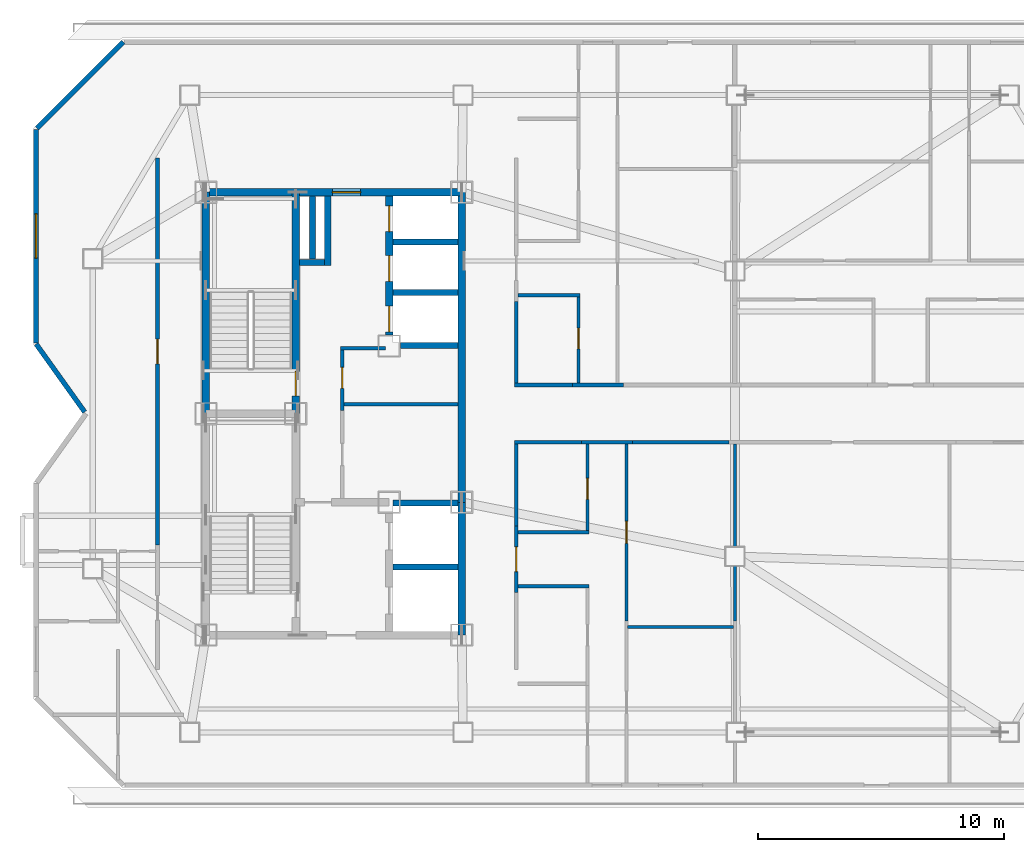
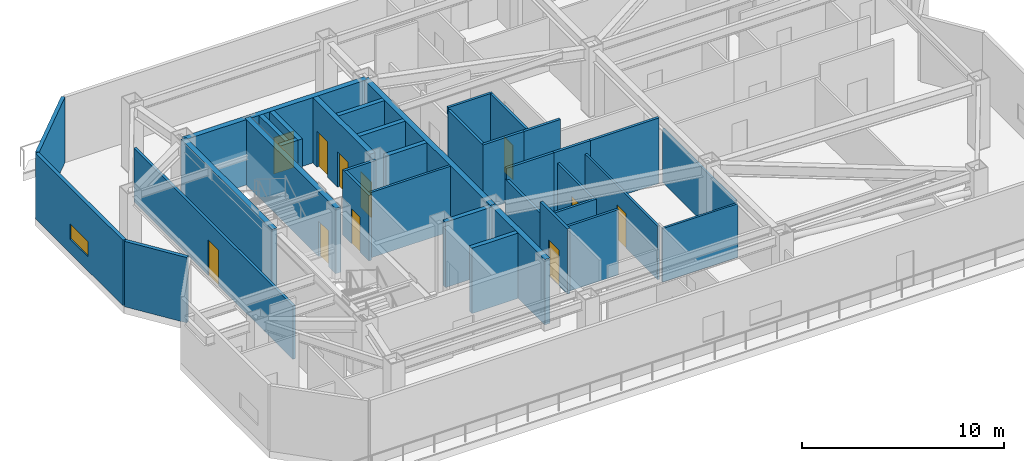
# One storey, part 5 of 11: 37 walls, 11 doors, 1 window, 12 openings.
"""IFC4 building model written with IfcOpenShell, lengths in metres."""

from ifc_helpers import new_model, si_unit, direction, frame, frame_2d, origin, place, context, subcontext, project, spatial, rectangle, extrude, material, layer, layer_set, type_object, element, fill, save


model = new_model("IFC4")

# Units and contexts
model_context = context("Model", 3, precision=1e-05, world=origin(), true_north=direction((0.0, 1.0)))
body_context = subcontext(model_context, "Body", "Model", "MODEL_VIEW")
ifc_project = project(units=[si_unit("LENGTHUNIT", "METRE"), si_unit("AREAUNIT", "SQUARE_METRE"), si_unit("VOLUMEUNIT", "CUBIC_METRE"), si_unit("PLANEANGLEUNIT", "RADIAN"), si_unit("MASSUNIT", "GRAM", prefix="KILO")], contexts=[model_context])

# Site, building, storey
site_placement = place(None, origin())
site = spatial("IfcSite", under=ifc_project, at=site_placement, CompositionType="ELEMENT")
building_placement = place(site_placement, origin())
building = spatial("IfcBuilding", under=site, at=building_placement, Name="Khamvora Tower", CompositionType="ELEMENT")
storey_placement = place(building_placement, frame((0.0, 0.0, 269.449951171875)))
storey = spatial("IfcBuildingStorey", under=building, at=storey_placement, Name="L69", CompositionType="ELEMENT", Elevation=269.449951171875)

# Wall
ifc_material_1 = material(Name="Concrete C50/60", Category="concrete")
ifc_layer_1 = layer(ifc_material_1, 0.300048828125)
ifc_layer_set_1 = layer_set([ifc_layer_1], Name="Concrete C50/60")
wall_type_1 = type_object("IfcWallType", Name="WAL-CORE-300", PredefinedType="SHEAR", material=ifc_layer_set_1)
wall_1_placement = place(storey_placement, frame((29.0, 28.0, 0.0), z_axis=(0.0, 0.0, 1.0), x_axis=(0.0, 1.0, 0.0)))
element("IfcWall", 1, at=wall_1_placement, inside=storey, type_object=wall_type_1, Name="L69 central core west north wall", PredefinedType="SHEAR", context=body_context, shape_type="SweptSolid", body=[
    extrude(rectangle(XDim=9.0, YDim=0.300048828125, at=frame_2d((4.5, 0.0))), origin(), (0.0, 0.0, 1.0), 3.949951171875),
])

# Wall, opening, door
wall_2_placement = place(storey_placement, frame((29.0, 37.0, 0.0), z_axis=(0.0, 0.0, 1.0), x_axis=(1.0, 0.0, 0.0)))
wall_2 = element("IfcWall", 2, at=wall_2_placement, inside=storey, type_object=wall_type_1, Name="L69 central core north wall", PredefinedType="SHEAR", context=body_context, shape_type="SweptSolid", body=[
    extrude(rectangle(XDim=10.39990234375, YDim=0.300048828125, at=frame_2d((5.199951171875, 0.0))), origin(), (0.0, 0.0, 1.0), 3.949951171875),
])
opening_1_placement = place(wall_2_placement, frame((5.139892578125, 0.0, 0.0)))
opening_1 = element("IfcOpeningElement", 3, at=opening_1_placement, cuts=wall_2, Name="Opening D-SC1", PredefinedType="OPENING", context=body_context, shape_type="SweptSolid", body=[
    extrude(rectangle(XDim=1.14990234375, YDim=2.199951171875, at=frame_2d((0.574951171875, 1.10009765625))), frame((0.0, 0.159912109375, 0.0), z_axis=(0.0, -1.0, 0.0), x_axis=(1.0, 0.0, 0.0)), (0.0, 0.0, 1.0), 0.320068359375),
])
ifc_material_2 = material(Name="Powder-Coated Steel and Hardwood Leaf", Category="steel")
door_type_1 = type_object("IfcDoorType", Name="DOR-SCHL-1150", OperationType="NOTDEFINED", PredefinedType="DOOR", material=ifc_material_2)
door_1_placement = place(opening_1_placement, origin())
door_1 = element("IfcDoor", 4, at=door_1_placement, inside=storey, type_object=door_type_1, Name="L69 north core lobby to corridor fire door", OperationType="SINGLE_SWING_LEFT", OverallHeight=2.199951171875, OverallWidth=1.14990234375, PredefinedType="DOOR", context=body_context, shape_type="SweptSolid", body=[
    extrude(rectangle(XDim=1.14990234375, YDim=2.199951171875, at=frame_2d((0.574951171875, 1.10009765625))), frame((0.0, 0.02490234375, 0.0), z_axis=(0.0, -1.0, 0.0), x_axis=(1.0, 0.0, 0.0)), (0.0, 0.0, 1.0), 0.050048828125),
])
fill(opening_1, door_1)

# Walls
wall_3_placement = place(storey_placement, frame((39.39990234375, 19.0, 0.0), z_axis=(0.0, 0.0, 1.0), x_axis=(0.0, 1.0, 0.0)))
element("IfcWall", 5, at=wall_3_placement, inside=storey, type_object=wall_type_1, Name="L69 central core east south wall", PredefinedType="SHEAR", context=body_context, shape_type="SweptSolid", body=[
    extrude(rectangle(XDim=5.39990234375, YDim=0.300048828125, at=frame_2d((2.699951171875, 0.0))), origin(), (0.0, 0.0, 1.0), 3.949951171875),
])
wall_4_placement = place(storey_placement, frame((39.39990234375, 24.39990234375, 0.0), z_axis=(0.0, 0.0, 1.0), x_axis=(0.0, 1.0, 0.0)))
element("IfcWall", 6, at=wall_4_placement, inside=storey, type_object=wall_type_1, Name="L69 central core east north wall", PredefinedType="SHEAR", context=body_context, shape_type="SweptSolid", body=[
    extrude(rectangle(XDim=12.60009765625, YDim=0.300048828125, at=frame_2d((6.300048828125, 0.0))), origin(), (0.0, 0.0, 1.0), 3.949951171875),
])

# Wall, opening, door
wall_5_placement = place(storey_placement, frame((32.64990234375, 28.0, 0.0), z_axis=(0.0, 0.0, 1.0), x_axis=(0.0, 1.0, 0.0)))
wall_5 = element("IfcWall", 7, at=wall_5_placement, inside=storey, type_object=wall_type_1, Name="L69 central core stair north spine wall", PredefinedType="SHEAR", context=body_context, shape_type="SweptSolid", body=[
    extrude(rectangle(XDim=9.0, YDim=0.300048828125, at=frame_2d((4.5, 0.0))), origin(), (0.0, 0.0, 1.0), 3.949951171875),
])
opening_2_placement = place(wall_5_placement, frame((0.719970703125, 0.0, 0.0)))
opening_2 = element("IfcOpeningElement", 8, at=opening_2_placement, cuts=wall_5, Name="Opening D-ST1", PredefinedType="OPENING", context=body_context, shape_type="SweptSolid", body=[
    extrude(rectangle(XDim=1.0, YDim=2.14990234375, at=frame_2d((0.5, 1.074951171875))), frame((0.0, 0.159912109375, 0.0), z_axis=(0.0, -1.0, 0.0), x_axis=(1.0, 0.0, 0.0)), (0.0, 0.0, 1.0), 0.320068359375),
])
door_type_2 = type_object("IfcDoorType", Name="DOR-STAIR-1000", OperationType="NOTDEFINED", PredefinedType="DOOR", material=ifc_material_2)
door_2_placement = place(opening_2_placement, origin())
door_2 = element("IfcDoor", 9, at=door_2_placement, inside=storey, type_object=door_type_2, Name="L69 exit stair ST-02 fire door", OperationType="SINGLE_SWING_RIGHT", OverallHeight=2.14990234375, OverallWidth=1.0, PredefinedType="DOOR", context=body_context, shape_type="SweptSolid", body=[
    extrude(rectangle(XDim=1.0, YDim=2.14990234375, at=frame_2d((0.5, 1.074951171875))), frame((0.0, 0.02490234375, 0.0), z_axis=(0.0, -1.0, 0.0), x_axis=(1.0, 0.0, 0.0)), (0.0, 0.0, 1.0), 0.050048828125),
])
fill(opening_2, door_2)

# Wall, openings, doors
wall_6_placement = place(storey_placement, frame((36.449951171875, 31.199951171875, 0.0), z_axis=(0.0, 0.0, 1.0), x_axis=(0.0, 1.0, 0.0)))
wall_6 = element("IfcWall", 10, at=wall_6_placement, inside=storey, type_object=wall_type_1, Name="L69 central core lift bank central wall", PredefinedType="SHEAR", context=body_context, shape_type="SweptSolid", body=[
    extrude(rectangle(XDim=5.64599609375, YDim=0.300048828125, at=frame_2d((2.822998046875, 0.0))), origin(), (0.0, 0.0, 1.0), 3.949951171875),
])
opening_3_placement = place(wall_6_placement, frame((0.125, 0.0, 0.0)))
opening_3 = element("IfcOpeningElement", 11, at=opening_3_placement, cuts=wall_6, Name="Opening LD-PL", PredefinedType="OPENING", context=body_context, shape_type="SweptSolid", body=[
    extrude(rectangle(XDim=1.050048828125, YDim=2.14990234375, at=frame_2d((0.52490234375, 1.074951171875))), frame((0.0, 0.159912109375, 0.0), z_axis=(0.0, -1.0, 0.0), x_axis=(1.0, 0.0, 0.0)), (0.0, 0.0, 1.0), 0.320068359375),
])
opening_4_placement = place(wall_6_placement, frame((2.175048828125, 0.0, 0.0)))
opening_4 = element("IfcOpeningElement", 12, at=opening_4_placement, cuts=wall_6, Name="Opening LD-PL", PredefinedType="OPENING", context=body_context, shape_type="SweptSolid", body=[
    extrude(rectangle(XDim=1.050048828125, YDim=2.14990234375, at=frame_2d((0.52490234375, 1.074951171875))), frame((0.0, 0.159912109375, 0.0), z_axis=(0.0, -1.0, 0.0), x_axis=(1.0, 0.0, 0.0)), (0.0, 0.0, 1.0), 0.320068359375),
])
opening_5_placement = place(wall_6_placement, frame((4.195068359375, 0.0, 0.0)))
opening_5 = element("IfcOpeningElement", 13, at=opening_5_placement, cuts=wall_6, Name="Opening LD-PL", PredefinedType="OPENING", context=body_context, shape_type="SweptSolid", body=[
    extrude(rectangle(XDim=1.050048828125, YDim=2.14990234375, at=frame_2d((0.52490234375, 1.074951171875))), frame((0.0, 0.159912109375, 0.0), z_axis=(0.0, -1.0, 0.0), x_axis=(1.0, 0.0, 0.0)), (0.0, 0.0, 1.0), 0.320068359375),
])
door_type_3 = type_object("IfcDoorType", Name="DOR-LIFT-1050", OperationType="SLIDING_TO_LEFT", PredefinedType="DOOR", material=ifc_material_2)
door_3_placement = place(opening_3_placement, origin())
door_3 = element("IfcDoor", 14, at=door_3_placement, inside=storey, type_object=door_type_3, Name="L69 lift landing sliding door PH-01", OperationType="SLIDING_TO_LEFT", OverallHeight=2.14990234375, OverallWidth=1.050048828125, PredefinedType="DOOR", context=body_context, shape_type="SweptSolid", body=[
    extrude(rectangle(XDim=1.050048828125, YDim=2.14990234375, at=frame_2d((0.52490234375, 1.074951171875))), frame((0.0, 0.02490234375, 0.0), z_axis=(0.0, -1.0, 0.0), x_axis=(1.0, 0.0, 0.0)), (0.0, 0.0, 1.0), 0.050048828125),
])
fill(opening_3, door_3)
door_4_placement = place(opening_4_placement, origin())
door_4 = element("IfcDoor", 15, at=door_4_placement, inside=storey, type_object=door_type_3, Name="L69 lift landing sliding door PH-02", OperationType="SLIDING_TO_LEFT", OverallHeight=2.14990234375, OverallWidth=1.050048828125, PredefinedType="DOOR", context=body_context, shape_type="SweptSolid", body=[
    extrude(rectangle(XDim=1.050048828125, YDim=2.14990234375, at=frame_2d((0.52490234375, 1.074951171875))), frame((0.0, 0.02490234375, 0.0), z_axis=(0.0, -1.0, 0.0), x_axis=(1.0, 0.0, 0.0)), (0.0, 0.0, 1.0), 0.050048828125),
])
fill(opening_4, door_4)
door_5_placement = place(opening_5_placement, origin())
door_5 = element("IfcDoor", 16, at=door_5_placement, inside=storey, type_object=door_type_3, Name="L69 lift landing sliding door PH-03", OperationType="SLIDING_TO_LEFT", OverallHeight=2.14990234375, OverallWidth=1.050048828125, PredefinedType="DOOR", context=body_context, shape_type="SweptSolid", body=[
    extrude(rectangle(XDim=1.050048828125, YDim=2.14990234375, at=frame_2d((0.52490234375, 1.074951171875))), frame((0.0, 0.02490234375, 0.0), z_axis=(0.0, -1.0, 0.0), x_axis=(1.0, 0.0, 0.0)), (0.0, 0.0, 1.0), 0.050048828125),
])
fill(opening_5, door_5)

# Wall
ifc_material_3 = material(Name="Fire-Rated Drywall and Steel Stud", Category="steel")
ifc_layer_2 = layer(ifc_material_3, 0.14990234375)
ifc_layer_set_2 = layer_set([ifc_layer_2], Name="Fire-Rated Drywall and Steel Stud")
wall_type_2 = type_object("IfcWallType", Name="WAL-CORR-150", PredefinedType="STANDARD", material=ifc_layer_set_2)
wall_7_placement = place(storey_placement, frame((36.300048828125, 30.6650390625, 0.0), z_axis=(0.0, 0.0, 1.0), x_axis=(-1.0, 0.0, 0.0)))
element("IfcWall", 17, at=wall_7_placement, inside=storey, type_object=wall_type_2, Name="L69 interior partition wall 001", PredefinedType="STANDARD", context=body_context, shape_type="SweptSolid", body=[
    extrude(rectangle(XDim=1.820068359375, YDim=0.14990234375, at=frame_2d((0.91015625, 0.0))), origin(), (0.0, 0.0, 1.0), 3.949951171875),
])

# Wall, opening, door
wall_8_placement = place(storey_placement, frame((34.544921875, 30.72998046875, 0.0), z_axis=(0.0, 0.0, 1.0), x_axis=(0.0, -1.0, 0.0)))
wall_8 = element("IfcWall", 18, at=wall_8_placement, inside=storey, type_object=wall_type_2, Name="L69 interior partition wall 002", PredefinedType="STANDARD", context=body_context, shape_type="SweptSolid", body=[
    extrude(rectangle(XDim=2.593994140625, YDim=0.14990234375, at=frame_2d((1.296875, 0.0))), origin(), (0.0, 0.0, 1.0), 3.949951171875),
])
opening_6_placement = place(wall_8_placement, frame((0.85107421875, 0.0, 0.0)))
opening_6 = element("IfcOpeningElement", 19, at=opening_6_placement, cuts=wall_8, Name="Opening D-WC1", PredefinedType="OPENING", context=body_context, shape_type="SweptSolid", body=[
    extrude(rectangle(XDim=0.85009765625, YDim=2.10009765625, at=frame_2d((0.425048828125, 1.050048828125))), frame((0.0, 0.0849609375, 0.0), z_axis=(0.0, -1.0, 0.0), x_axis=(1.0, 0.0, 0.0)), (0.0, 0.0, 1.0), 0.169921875),
])
door_type_4 = type_object("IfcDoorType", Name="DOR-WET-850", OperationType="NOTDEFINED", PredefinedType="DOOR", material=ifc_material_2)
door_6_placement = place(opening_6_placement, origin())
door_6 = element("IfcDoor", 20, at=door_6_placement, inside=storey, type_object=door_type_4, Name="L69 interior door PHL-CS1", OperationType="SINGLE_SWING_RIGHT", OverallHeight=2.10009765625, OverallWidth=0.85009765625, PredefinedType="DOOR", context=body_context, shape_type="SweptSolid", body=[
    extrude(rectangle(XDim=0.85009765625, YDim=2.10009765625, at=frame_2d((0.425048828125, 1.050048828125))), frame((0.0, 0.02490234375, 0.0), z_axis=(0.0, -1.0, 0.0), x_axis=(1.0, 0.0, 0.0)), (0.0, 0.0, 1.0), 0.050048828125),
])
fill(opening_6, door_6)

wall_9_placement = place(storey_placement, frame((27.034912109375, 22.658935546875, 0.0), z_axis=(0.0, 0.0, 1.0), x_axis=(0.0, 1.0, 0.0)))
wall_9 = element("IfcWall", 21, at=wall_9_placement, inside=storey, type_object=wall_type_2, Name="L69 interior partition wall 008", PredefinedType="STANDARD", context=body_context, shape_type="SweptSolid", body=[
    extrude(rectangle(XDim=15.740966796875, YDim=0.14990234375, at=frame_2d((7.87060546875, 0.0))), origin(), (0.0, 0.0, 1.0), 3.237060546875),
])
opening_7_placement = place(wall_9_placement, frame((7.3701171875, 0.0, 0.0)))
opening_7 = element("IfcOpeningElement", 22, at=opening_7_placement, cuts=wall_9, Name="Opening D-U1", PredefinedType="OPENING", context=body_context, shape_type="SweptSolid", body=[
    extrude(rectangle(XDim=1.0, YDim=2.14990234375, at=frame_2d((0.5, 1.074951171875))), frame((0.0, 0.0849609375, 0.0), z_axis=(0.0, -1.0, 0.0), x_axis=(1.0, 0.0, 0.0)), (0.0, 0.0, 1.0), 0.169921875),
])
door_type_5 = type_object("IfcDoorType", Name="DOR-UNIT-1000", OperationType="NOTDEFINED", PredefinedType="DOOR", material=ifc_material_2)
door_7_placement = place(opening_7_placement, origin())
door_7 = element("IfcDoor", 23, at=door_7_placement, inside=storey, type_object=door_type_5, Name="L69 interior door COR-69AR1", OperationType="SINGLE_SWING_LEFT", OverallHeight=2.14990234375, OverallWidth=1.0, PredefinedType="DOOR", context=body_context, shape_type="SweptSolid", body=[
    extrude(rectangle(XDim=1.0, YDim=2.14990234375, at=frame_2d((0.5, 1.074951171875))), frame((0.0, 0.02490234375, 0.0), z_axis=(0.0, -1.0, 0.0), x_axis=(1.0, 0.0, 0.0)), (0.0, 0.0, 1.0), 0.050048828125),
])
fill(opening_7, door_7)

# Wall
wall_10_placement = place(storey_placement, frame((46.339111328125, 26.8349609375, 0.0), z_axis=(0.0, 0.0, 1.0), x_axis=(-1.0, 0.0, 0.0)))
element("IfcWall", 24, at=wall_10_placement, inside=storey, type_object=wall_type_2, Name="L69 interior partition wall 009", PredefinedType="STANDARD", context=body_context, shape_type="SweptSolid", body=[
    extrude(rectangle(XDim=2.078125, YDim=0.14990234375, at=frame_2d((1.0390625, 0.0))), origin(), (0.0, 0.0, 1.0), 3.949951171875),
])

# Wall, opening, door
wall_11_placement = place(storey_placement, frame((41.614990234375, 23.43310546875, 0.0), z_axis=(0.0, 0.0, 1.0), x_axis=(0.0, -1.0, 0.0)))
wall_11 = element("IfcWall", 25, at=wall_11_placement, inside=storey, type_object=wall_type_2, Name="L69 interior partition wall 010", PredefinedType="STANDARD", context=body_context, shape_type="SweptSolid", body=[
    extrude(rectangle(XDim=2.697998046875, YDim=0.14990234375, at=frame_2d((1.34912109375, 0.0))), origin(), (0.0, 0.0, 1.0), 3.949951171875),
])
opening_8_placement = place(wall_11_placement, frame((0.84912109375, 0.0, 0.0)))
opening_8 = element("IfcOpeningElement", 26, at=opening_8_placement, cuts=wall_11, Name="Opening D-U1", PredefinedType="OPENING", context=body_context, shape_type="SweptSolid", body=[
    extrude(rectangle(XDim=1.0, YDim=2.14990234375, at=frame_2d((0.5, 1.074951171875))), frame((0.0, 0.0849609375, 0.0), z_axis=(0.0, -1.0, 0.0), x_axis=(1.0, 0.0, 0.0)), (0.0, 0.0, 1.0), 0.169921875),
])
door_8_placement = place(opening_8_placement, origin())
door_8 = element("IfcDoor", 27, at=door_8_placement, inside=storey, type_object=door_type_5, Name="L69 interior door COR-69BH", OperationType="SINGLE_SWING_RIGHT", OverallHeight=2.14990234375, OverallWidth=1.0, PredefinedType="DOOR", context=body_context, shape_type="SweptSolid", body=[
    extrude(rectangle(XDim=1.0, YDim=2.14990234375, at=frame_2d((0.5, 1.074951171875))), frame((0.0, 0.02490234375, 0.0), z_axis=(0.0, -1.0, 0.0), x_axis=(1.0, 0.0, 0.0)), (0.0, 0.0, 1.0), 0.050048828125),
])
fill(opening_8, door_8)

# Walls
wall_12_placement = place(storey_placement, frame((44.260986328125, 26.8349609375, 0.0), z_axis=(0.0, 0.0, 1.0), x_axis=(-1.0, 0.0, 0.0)))
element("IfcWall", 28, at=wall_12_placement, inside=storey, type_object=wall_type_2, Name="L69 interior partition wall 011", PredefinedType="STANDARD", context=body_context, shape_type="SweptSolid", body=[
    extrude(rectangle(XDim=2.7109375, YDim=0.14990234375, at=frame_2d((1.35546875, 0.0))), origin(), (0.0, 0.0, 1.0), 3.949951171875),
])
wall_13_placement = place(storey_placement, frame((41.614990234375, 26.89794921875, 0.0), z_axis=(0.0, 0.0, 1.0), x_axis=(0.0, -1.0, 0.0)))
element("IfcWall", 29, at=wall_13_placement, inside=storey, type_object=wall_type_2, Name="L69 interior partition wall 012", PredefinedType="STANDARD", context=body_context, shape_type="SweptSolid", body=[
    extrude(rectangle(XDim=3.46484375, YDim=0.14990234375, at=frame_2d((1.732421875, 0.0))), origin(), (0.0, 0.0, 1.0), 3.2451171875),
])
wall_14_placement = place(storey_placement, frame((50.256103515625, 26.8349609375, 0.0), z_axis=(0.0, 0.0, 1.0), x_axis=(-1.0, 0.0, 0.0)))
element("IfcWall", 30, at=wall_14_placement, inside=storey, type_object=wall_type_2, Name="L69 interior partition wall 014", PredefinedType="STANDARD", context=body_context, shape_type="SweptSolid", body=[
    extrude(rectangle(XDim=3.9169921875, YDim=0.14990234375, at=frame_2d((1.95849609375, 0.0))), origin(), (0.0, 0.0, 1.0), 3.949951171875),
])
wall_15_placement = place(storey_placement, frame((43.89599609375, 29.1650390625, 0.0), z_axis=(0.0, 0.0, 1.0), x_axis=(1.0, 0.0, 0.0)))
element("IfcWall", 31, at=wall_15_placement, inside=storey, type_object=wall_type_2, Name="L69 interior partition wall 015", PredefinedType="STANDARD", context=body_context, shape_type="SweptSolid", body=[
    extrude(rectangle(XDim=2.078125, YDim=0.14990234375, at=frame_2d((1.0390625, 0.0))), origin(), (0.0, 0.0, 1.0), 3.949951171875),
])
wall_16_placement = place(storey_placement, frame((41.550048828125, 29.1650390625, 0.0), z_axis=(0.0, 0.0, 1.0), x_axis=(1.0, 0.0, 0.0)))
element("IfcWall", 32, at=wall_16_placement, inside=storey, type_object=wall_type_2, Name="L69 interior partition wall 017", PredefinedType="STANDARD", context=body_context, shape_type="SweptSolid", body=[
    extrude(rectangle(XDim=2.345947265625, YDim=0.14990234375, at=frame_2d((1.1728515625, 0.0))), origin(), (0.0, 0.0, 1.0), 3.949951171875),
])
wall_17_placement = place(storey_placement, frame((41.614990234375, 32.56689453125, 0.0), z_axis=(0.0, 0.0, 1.0), x_axis=(0.0, -1.0, 0.0)))
element("IfcWall", 33, at=wall_17_placement, inside=storey, type_object=wall_type_2, Name="L69 interior partition wall 018", PredefinedType="STANDARD", context=body_context, shape_type="SweptSolid", body=[
    extrude(rectangle(XDim=3.46484375, YDim=0.14990234375, at=frame_2d((1.732421875, 0.0))), origin(), (0.0, 0.0, 1.0), 3.949951171875),
])
ifc_material_4 = material(Name="Precast concrete C40/50", Category="concrete")
ifc_layer_3 = layer(ifc_material_4, 0.199951171875)
ifc_layer_set_3 = layer_set([ifc_layer_3], Name="Precast concrete C40/50")
wall_type_3 = type_object("IfcWallType", Name="WAL-EXT-200", PredefinedType="STANDARD", material=ifc_layer_set_3)
wall_18_placement = place(storey_placement, frame((24.073974609375, 28.069091796875, 0.0), z_axis=(0.0, 0.0, 1.0), x_axis=(-0.581306204583, 0.813684887726, 0.0)))
element("IfcWall", 34, at=wall_18_placement, inside=storey, type_object=wall_type_3, Name="L69 exterior facade wall 04.1", PredefinedType="STANDARD", context=body_context, shape_type="SweptSolid", body=[
    extrude(rectangle(XDim=3.3955078125, YDim=0.199951171875, at=frame_2d((1.69775390625, 0.0))), origin(), (0.0, 0.0, 1.0), 3.949951171875),
])

# Wall, opening, window
wall_19_placement = place(storey_placement, frame((22.10009765625, 30.882080078125, 0.0), z_axis=(0.0, 0.0, 1.0), x_axis=(0.0, 1.0, 0.0)))
wall_19 = element("IfcWall", 35, at=wall_19_placement, inside=storey, type_object=wall_type_3, Name="L69 exterior facade wall 05.1", PredefinedType="STANDARD", context=body_context, shape_type="SweptSolid", body=[
    extrude(rectangle(XDim=8.677001953125, YDim=0.199951171875, at=frame_2d((4.33837890625, 0.0))), origin(), (0.0, 0.0, 1.0), 3.949951171875),
])
opening_9_placement = place(wall_19_placement, frame((3.43798828125, 0.0, 0.85009765625)))
opening_9 = element("IfcOpeningElement", 36, at=opening_9_placement, cuts=wall_19, Name="Opening WN-09", PredefinedType="OPENING", context=body_context, shape_type="SweptSolid", body=[
    extrude(rectangle(XDim=1.800048828125, YDim=0.919921875, at=frame_2d((0.89990234375, 0.4599609375))), frame((0.0, 0.10986328125, 0.0), z_axis=(0.0, -1.0, 0.0), x_axis=(1.0, 0.0, 0.0)), (0.0, 0.0, 1.0), 0.219970703125),
])
ifc_material_5 = material(Name="Low-E Laminated Double Glazing", Category="glass")
window_type = type_object("IfcWindowType", Name="WIN-CLR-1800x920", PartitioningType="SINGLE_PANEL", PredefinedType="WINDOW", material=ifc_material_5)
window_placement = place(opening_9_placement, origin())
window = element("IfcWindow", 37, at=window_placement, inside=storey, type_object=window_type, Name="L69 vision window 05.1.01", OverallHeight=0.919921875, OverallWidth=1.800048828125, PartitioningType="SINGLE_PANEL", PredefinedType="WINDOW", context=body_context, shape_type="SweptSolid", body=[
    extrude(rectangle(XDim=1.800048828125, YDim=0.919921875, at=frame_2d((0.89990234375, 0.4599609375))), frame((0.0, 0.030029296875, 0.0), z_axis=(0.0, -1.0, 0.0), x_axis=(1.0, 0.0, 0.0)), (0.0, 0.0, 1.0), 0.06005859375),
])
fill(opening_9, window)

# Walls
wall_20_placement = place(storey_placement, frame((22.14404296875, 39.60302734375, 0.0), z_axis=(0.0, 0.0, 1.0), x_axis=(0.707106781187, 0.707106781187, 0.0)))
element("IfcWall", 38, at=wall_20_placement, inside=storey, type_object=wall_type_3, Name="L69 exterior facade wall 06.1", PredefinedType="STANDARD", context=body_context, shape_type="SweptSolid", body=[
    extrude(rectangle(XDim=4.945556640625, YDim=0.199951171875, at=frame_2d((2.47265625, 0.0))), origin(), (0.0, 0.0, 1.0), 3.949951171875),
])
ifc_material_6 = material(Name="Gypsum Plasterboard Partition", Category="gypsum")
ifc_layer_4 = layer(ifc_material_6, 0.1201171875)
ifc_layer_set_4 = layer_set([ifc_layer_4], Name="Gypsum Plasterboard Partition")
wall_type_4 = type_object("IfcWallType", Name="WAL-PART-120", PredefinedType="PARTITIONING", material=ifc_layer_set_4)
wall_21_placement = place(storey_placement, frame((50.5048828125, 19.577880859375, 0.0), z_axis=(0.0, 0.0, 1.0), x_axis=(0.0, 1.0, 0.0)))
element("IfcWall", 39, at=wall_21_placement, inside=storey, type_object=wall_type_4, Name="L69 interior partition wall 027", PredefinedType="PARTITIONING", context=body_context, shape_type="SweptSolid", body=[
    extrude(rectangle(XDim=7.192138671875, YDim=0.1201171875, at=frame_2d((3.59619140625, 0.0))), origin(), (0.0, 0.0, 1.0), 3.2451171875),
])

# Wall, opening, door
wall_22_placement = place(storey_placement, frame((46.090087890625, 26.77001953125, 0.0), z_axis=(0.0, 0.0, 1.0), x_axis=(0.0, -1.0, 0.0)))
wall_22 = element("IfcWall", 40, at=wall_22_placement, inside=storey, type_object=wall_type_4, Name="L69 interior partition wall 041", PredefinedType="PARTITIONING", context=body_context, shape_type="SweptSolid", body=[
    extrude(rectangle(XDim=7.18701171875, YDim=0.1201171875, at=frame_2d((3.593505859375, 0.0))), origin(), (0.0, 0.0, 1.0), 3.2451171875),
])
opening_10_placement = place(wall_22_placement, frame((3.14306640625, 0.0, 0.0)))
opening_10 = element("IfcOpeningElement", 41, at=opening_10_placement, cuts=wall_22, Name="Opening D-RM1", PredefinedType="OPENING", context=body_context, shape_type="SweptSolid", body=[
    extrude(rectangle(XDim=0.89990234375, YDim=2.10009765625, at=frame_2d((0.449951171875, 1.050048828125))), frame((0.0, 0.070068359375, 0.0), z_axis=(0.0, -1.0, 0.0), x_axis=(1.0, 0.0, 0.0)), (0.0, 0.0, 1.0), 0.14013671875),
])
door_type_6 = type_object("IfcDoorType", Name="DOR-ROOM-900", OperationType="NOTDEFINED", PredefinedType="DOOR", material=ifc_material_2)
door_9_placement = place(opening_10_placement, origin())
door_9 = element("IfcDoor", 42, at=door_9_placement, inside=storey, type_object=door_type_6, Name="L69 interior door 69BH-69BR2", OperationType="SINGLE_SWING_LEFT", OverallHeight=2.10009765625, OverallWidth=0.89990234375, PredefinedType="DOOR", context=body_context, shape_type="SweptSolid", body=[
    extrude(rectangle(XDim=0.89990234375, YDim=2.10009765625, at=frame_2d((0.449951171875, 1.050048828125))), frame((0.0, 0.02490234375, 0.0), z_axis=(0.0, -1.0, 0.0), x_axis=(1.0, 0.0, 0.0)), (0.0, 0.0, 1.0), 0.050048828125),
])
fill(opening_10, door_9)

# Walls
wall_23_placement = place(storey_placement, frame((46.14404296875, 19.333984375, 0.0), z_axis=(0.0, 0.0, 1.0), x_axis=(1.0, 0.0, 0.0)))
element("IfcWall", 43, at=wall_23_placement, inside=storey, type_object=wall_type_4, Name="L69 interior partition wall 042", PredefinedType="PARTITIONING", context=body_context, shape_type="SweptSolid", body=[
    extrude(rectangle(XDim=4.306884765625, YDim=0.1201171875, at=frame_2d((2.1533203125, 0.0))), origin(), (0.0, 0.0, 1.0), 3.2451171875),
])
ifc_material_7 = material(Name="Concrete C40/50", Category="concrete")
ifc_layer_5 = layer(ifc_material_7, 0.25)
ifc_layer_set_5 = layer_set([ifc_layer_5], Name="Concrete C40/50")
wall_type_5 = type_object("IfcWallType", Name="WAL-PODS-250", PredefinedType="SHEAR", material=ifc_layer_set_5)
for number, where, z_axis, x_axis, name in (
    (44, (36.60400390625, 21.77490234375, 0.0), (0.0, 0.0, 1.0), (1.0, 0.0, 0.0), "L69 lift shaft divider wall FFL-01"),
    (45, (36.60400390625, 24.375, 0.0), (0.0, 0.0, 1.0), (1.0, 0.0, 0.0), "L69 lift shaft divider wall FFL-02"),
):
    element("IfcWall", number, at=place(storey_placement, frame(where, z_axis=z_axis, x_axis=x_axis)), inside=storey, type_object=wall_type_5, Name=name, PredefinedType="SHEAR", context=body_context, shape_type="SweptSolid", body=[
        extrude(rectangle(XDim=2.64208984375, YDim=0.25, at=frame_2d((1.321044921875, 0.0))), origin(), (0.0, 0.0, 1.0), 3.949951171875),
    ])
wall_24_placement = place(storey_placement, frame((36.904052734375, 30.77490234375, 0.0), z_axis=(0.0, 0.0, 1.0), x_axis=(1.0, 0.0, 0.0)))
element("IfcWall", 46, at=wall_24_placement, inside=storey, type_object=wall_type_5, Name="L69 high-rise lift shaft south enclosure wall PH-01", PredefinedType="SHEAR", context=body_context, shape_type="SweptSolid", body=[
    extrude(rectangle(XDim=2.342041015625, YDim=0.25, at=frame_2d((1.1708984375, 0.0))), origin(), (0.0, 0.0, 1.0), 3.949951171875),
])
for number, where, z_axis, x_axis, name in (
    (47, (36.60400390625, 32.925048828125, 0.0), (0.0, 0.0, 1.0), (1.0, 0.0, 0.0), "L69 lift shaft divider wall PH-01"),
    (48, (36.60400390625, 34.97509765625, 0.0), (0.0, 0.0, 1.0), (1.0, 0.0, 0.0), "L69 lift shaft divider wall PH-02"),
):
    element("IfcWall", number, at=place(storey_placement, frame(where, z_axis=z_axis, x_axis=x_axis)), inside=storey, type_object=wall_type_5, Name=name, PredefinedType="SHEAR", context=body_context, shape_type="SweptSolid", body=[
        extrude(rectangle(XDim=2.64208984375, YDim=0.25, at=frame_2d((1.321044921875, 0.0))), origin(), (0.0, 0.0, 1.0), 3.949951171875),
    ])
wall_25_placement = place(storey_placement, frame((33.955078125, 34.02490234375, 0.0), z_axis=(0.0, 0.0, 1.0), x_axis=(0.0, 1.0, 0.0)))
element("IfcWall", 49, at=wall_25_placement, inside=storey, type_object=wall_type_5, Name="L69 vertical MEP riser shaft east enclosure wall", PredefinedType="SHEAR", context=body_context, shape_type="SweptSolid", body=[
    extrude(rectangle(XDim=2.821044921875, YDim=0.25, at=frame_2d((1.41064453125, 0.0))), origin(), (0.0, 0.0, 1.0), 3.949951171875),
])
wall_26_placement = place(storey_placement, frame((32.803955078125, 34.14990234375, 0.0), z_axis=(0.0, 0.0, 1.0), x_axis=(1.0, 0.0, 0.0)))
element("IfcWall", 50, at=wall_26_placement, inside=storey, type_object=wall_type_5, Name="L69 vertical MEP riser shaft south enclosure wall", PredefinedType="SHEAR", context=body_context, shape_type="SweptSolid", body=[
    extrude(rectangle(XDim=1.02197265625, YDim=0.25, at=frame_2d((0.510986328125, 0.0))), origin(), (0.0, 0.0, 1.0), 3.949951171875),
])
wall_27_placement = place(storey_placement, frame((33.340087890625, 34.279052734375, 0.0), z_axis=(0.0, 0.0, 1.0), x_axis=(0.0, 1.0, 0.0)))
element("IfcWall", 51, at=wall_27_placement, inside=storey, type_object=wall_type_5, Name="L69 vertical MEP riser shaft divider enclosure wall", PredefinedType="SHEAR", context=body_context, shape_type="SweptSolid", body=[
    extrude(rectangle(XDim=2.56689453125, YDim=0.25, at=frame_2d((1.283447265625, 0.0))), origin(), (0.0, 0.0, 1.0), 3.949951171875),
])
ifc_material_8 = material(Name="Moisture-Resistant Plasterboard Partition", Category="gypsum")
ifc_layer_6 = layer(ifc_material_8, 0.135009765625)
ifc_layer_set_6 = layer_set([ifc_layer_6], Name="Moisture-Resistant Plasterboard Partition")
wall_type_6 = type_object("IfcWallType", Name="WAL-WET-135", PredefinedType="PARTITIONING", material=ifc_layer_set_6)
wall_28_placement = place(storey_placement, frame((39.256103515625, 28.385009765625, 0.0), z_axis=(0.0, 0.0, 1.0), x_axis=(-1.0, 0.0, 0.0)))
element("IfcWall", 52, at=wall_28_placement, inside=storey, type_object=wall_type_6, Name="L69 interior partition wall 004", PredefinedType="PARTITIONING", context=body_context, shape_type="SweptSolid", body=[
    extrude(rectangle(XDim=4.64404296875, YDim=0.135009765625, at=frame_2d((2.322021484375, 0.0))), origin(), (0.0, 0.0, 1.0), 3.949951171875),
])
wall_29_placement = place(storey_placement, frame((41.681884765625, 23.18408203125, 0.0), z_axis=(0.0, 0.0, 1.0), x_axis=(1.0, 0.0, 0.0)))
element("IfcWall", 53, at=wall_29_placement, inside=storey, type_object=wall_type_6, Name="L69 interior partition wall 036", PredefinedType="PARTITIONING", context=body_context, shape_type="SweptSolid", body=[
    extrude(rectangle(XDim=2.89306640625, YDim=0.135009765625, at=frame_2d((1.446533203125, 0.0))), origin(), (0.0, 0.0, 1.0), 3.2451171875),
])

# Wall, opening, door
wall_30_placement = place(storey_placement, frame((44.510009765625, 23.118896484375, 0.0), z_axis=(0.0, 0.0, 1.0), x_axis=(0.0, 1.0, 0.0)))
wall_30 = element("IfcWall", 54, at=wall_30_placement, inside=storey, type_object=wall_type_6, Name="L69 interior partition wall 037", PredefinedType="PARTITIONING", context=body_context, shape_type="SweptSolid", body=[
    extrude(rectangle(XDim=3.651123046875, YDim=0.135009765625, at=frame_2d((1.82568359375, 0.0))), origin(), (0.0, 0.0, 1.0), 3.2451171875),
])
opening_11_placement = place(wall_30_placement, frame((1.39990234375, 0.0, 0.0)))
opening_11 = element("IfcOpeningElement", 55, at=opening_11_placement, cuts=wall_30, Name="Opening D-WC1", PredefinedType="OPENING", context=body_context, shape_type="SweptSolid", body=[
    extrude(rectangle(XDim=0.85009765625, YDim=2.10009765625, at=frame_2d((0.425048828125, 1.050048828125))), frame((0.0, 0.077392578125, 0.0), z_axis=(0.0, -1.0, 0.0), x_axis=(1.0, 0.0, 0.0)), (0.0, 0.0, 1.0), 0.155029296875),
])
door_10_placement = place(opening_11_placement, origin())
door_10 = element("IfcDoor", 56, at=door_10_placement, inside=storey, type_object=door_type_4, Name="L69 interior door 69BH-69BB", OperationType="SINGLE_SWING_RIGHT", OverallHeight=2.10009765625, OverallWidth=0.85009765625, PredefinedType="DOOR", context=body_context, shape_type="SweptSolid", body=[
    extrude(rectangle(XDim=0.85009765625, YDim=2.10009765625, at=frame_2d((0.425048828125, 1.050048828125))), frame((0.0, 0.02490234375, 0.0), z_axis=(0.0, -1.0, 0.0), x_axis=(1.0, 0.0, 0.0)), (0.0, 0.0, 1.0), 0.050048828125),
])
fill(opening_11, door_10)

# Wall
wall_31_placement = place(storey_placement, frame((44.574951171875, 20.98388671875, 0.0), z_axis=(0.0, 0.0, 1.0), x_axis=(-1.0, 0.0, 0.0)))
element("IfcWall", 57, at=wall_31_placement, inside=storey, type_object=wall_type_6, Name="L69 interior partition wall 039", PredefinedType="PARTITIONING", context=body_context, shape_type="SweptSolid", body=[
    extrude(rectangle(XDim=2.89306640625, YDim=0.135009765625, at=frame_2d((1.446533203125, 0.0))), origin(), (0.0, 0.0, 1.0), 3.949951171875),
])

# Wall, opening, door
wall_32_placement = place(storey_placement, frame((44.14501953125, 29.22998046875, 0.0), z_axis=(0.0, 0.0, 1.0), x_axis=(0.0, 1.0, 0.0)))
wall_32 = element("IfcWall", 58, at=wall_32_placement, inside=storey, type_object=wall_type_6, Name="L69 interior partition wall 045", PredefinedType="PARTITIONING", context=body_context, shape_type="SweptSolid", body=[
    extrude(rectangle(XDim=3.651123046875, YDim=0.135009765625, at=frame_2d((1.82568359375, 0.0))), origin(), (0.0, 0.0, 1.0), 3.949951171875),
])
opening_12_placement = place(wall_32_placement, frame((1.39990234375, 0.0, 0.0)))
opening_12 = element("IfcOpeningElement", 59, at=opening_12_placement, cuts=wall_32, Name="Opening D-WC1", PredefinedType="OPENING", context=body_context, shape_type="SweptSolid", body=[
    extrude(rectangle(XDim=0.85009765625, YDim=2.10009765625, at=frame_2d((0.425048828125, 1.050048828125))), frame((0.0, 0.077392578125, 0.0), z_axis=(0.0, -1.0, 0.0), x_axis=(1.0, 0.0, 0.0)), (0.0, 0.0, 1.0), 0.155029296875),
])
door_11_placement = place(opening_12_placement, origin())
door_11 = element("IfcDoor", 60, at=door_11_placement, inside=storey, type_object=door_type_4, Name="L69 interior door 69CH-69CB", OperationType="SINGLE_SWING_LEFT", OverallHeight=2.10009765625, OverallWidth=0.85009765625, PredefinedType="DOOR", context=body_context, shape_type="SweptSolid", body=[
    extrude(rectangle(XDim=0.85009765625, YDim=2.10009765625, at=frame_2d((0.425048828125, 1.050048828125))), frame((0.0, 0.02490234375, 0.0), z_axis=(0.0, -1.0, 0.0), x_axis=(1.0, 0.0, 0.0)), (0.0, 0.0, 1.0), 0.050048828125),
])
fill(opening_12, door_11)

# Wall
wall_33_placement = place(storey_placement, frame((44.2099609375, 32.81591796875, 0.0), z_axis=(0.0, 0.0, 1.0), x_axis=(-1.0, 0.0, 0.0)))
element("IfcWall", 61, at=wall_33_placement, inside=storey, type_object=wall_type_6, Name="L69 interior partition wall 046", PredefinedType="PARTITIONING", context=body_context, shape_type="SweptSolid", body=[
    extrude(rectangle(XDim=2.528076171875, YDim=0.135009765625, at=frame_2d((1.26416015625, 0.0))), origin(), (0.0, 0.0, 1.0), 3.949951171875),
])

save(model, "model.ifc")
